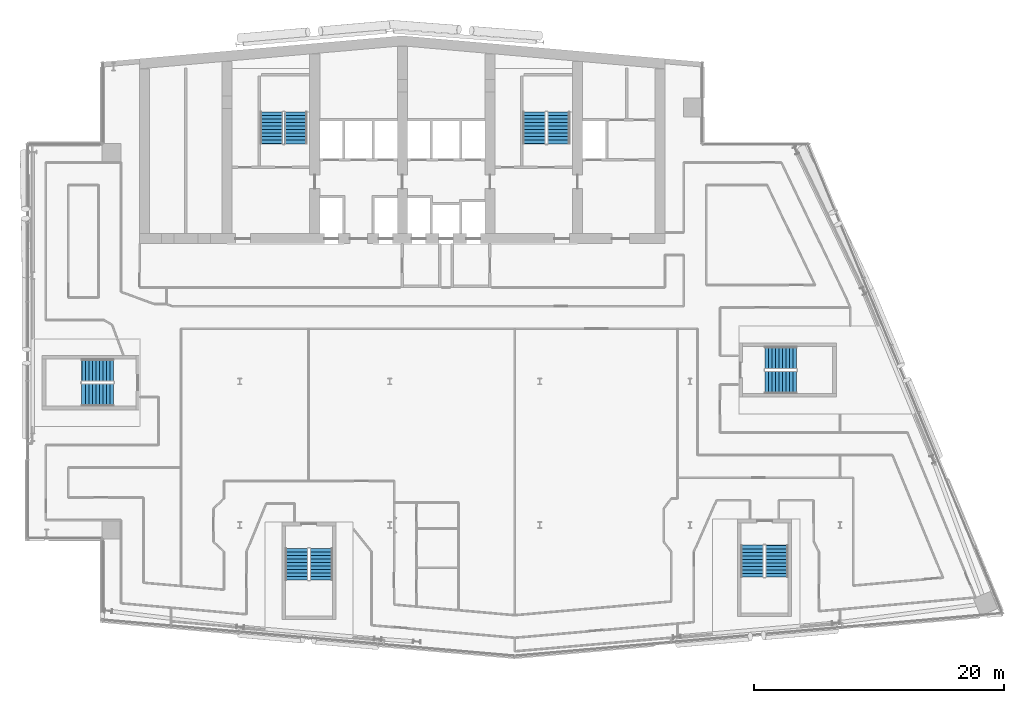
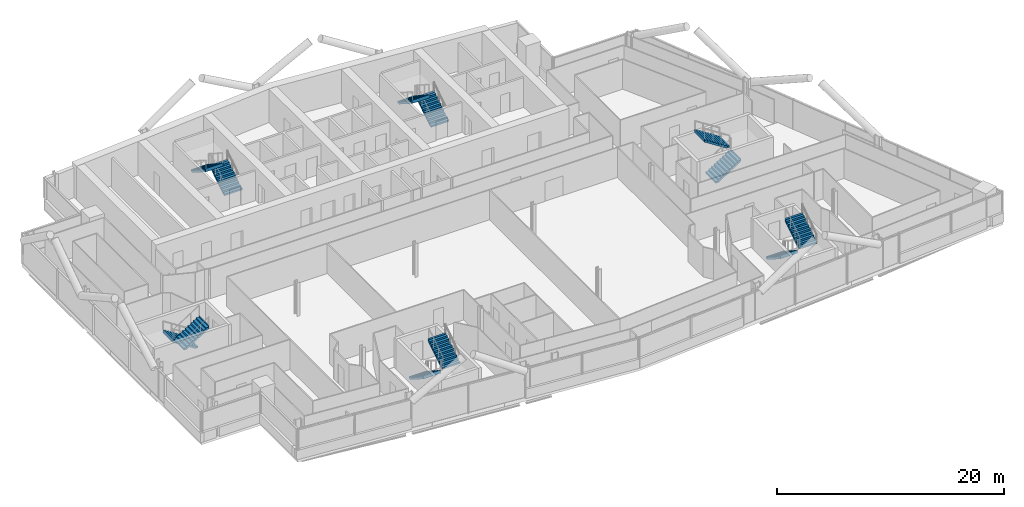
# One storey, part 21 of 27: 12 stair flights, 6 elements without a shape of their own.
"""IFC4 building model written with IfcOpenShell, lengths in metres."""

from ifc_helpers import new_model, si_unit, direction, frame, origin, place, context, subcontext, project, spatial, polyline, outline, extrude, material, type_object, element, aggregate, save


model = new_model("IFC4")

# Units and contexts
model_context = context("Model", 3, precision=1e-05, world=origin(), true_north=direction((0.0, 1.0)))
body_context = subcontext(model_context, "Body", "Model", "MODEL_VIEW")
ifc_project = project(units=[si_unit("LENGTHUNIT", "METRE"), si_unit("AREAUNIT", "SQUARE_METRE"), si_unit("VOLUMEUNIT", "CUBIC_METRE"), si_unit("PLANEANGLEUNIT", "RADIAN"), si_unit("MASSUNIT", "GRAM", prefix="KILO")], contexts=[model_context])

# Site, building, storey
site_placement = place(None, origin())
site = spatial("IfcSite", under=ifc_project, at=site_placement, CompositionType="ELEMENT")
building_placement = place(site_placement, origin())
building = spatial("IfcBuilding", under=site, at=building_placement, Name="Wharfspan Tower", CompositionType="ELEMENT")
storey_placement = place(building_placement, frame((0.0, 0.0, 191.5)))
storey = spatial("IfcBuildingStorey", under=building, at=storey_placement, Name="L47", CompositionType="ELEMENT", Elevation=191.5)

# Stair, stair flights
ifc_material = material(Name="Concrete C40/50", Category="concrete")
stair_type = type_object("IfcStairType", Name="Half-turn stair 20 risers 180 mm", PredefinedType="HALF_TURN_STAIR", material=ifc_material)
stair_1_placement = place(storey_placement, origin())
stair_1 = element("IfcStair", 1, at=stair_1_placement, inside=storey, type_object=stair_type, Name="L47 stair ST1", PredefinedType="HALF_TURN_STAIR")
stair_flight_type = type_object("IfcStairFlightType", Name="Stair flight 20 risers 180 mm", PredefinedType="STRAIGHT", material=ifc_material)
stair_flight_1_placement = place(storey_placement, frame((28.5, 42.0, 0.0), z_axis=(0.0, 0.0, 1.0), x_axis=(0.0, 1.0, 0.0)))
stair_flight_1 = element("IfcStairFlight", 2, at=stair_flight_1_placement, type_object=stair_flight_type, Name="ST1 flight 1", NumberOfRisers=10, NumberOfTreads=9, PredefinedType="STRAIGHT", RiserHeight=0.18, TreadLength=0.28, context=body_context, shape_type="SweptSolid", body=[
    extrude(outline(polyline([(-0.011963, 0.0), (-0.011963, 0.179932), (0.0, 0.179932), (0.280029, 0.179932), (0.280029, 0.360107), (0.560059, 0.360107), (0.560059, 0.540039), (0.840088, 0.540039), (0.840088, 0.719971), (1.120117, 0.719971), (1.120117, 0.899902), (1.399902, 0.899902), (1.399902, 1.080078), (1.679932, 1.080078), (1.679932, 1.26001), (1.959961, 1.26001), (1.959961, 1.439941), (2.23999, 1.439941), (2.23999, 1.620117), (2.52002, 1.620117), (2.531982, 1.800049), (2.531982, 1.441895), (0.2771, 0.0), (-0.011963, 0.0)])), frame((0.0, 0.899902, 0.0), z_axis=(0.0, -1.0, 0.0), x_axis=(1.0, 0.0, 0.0)), (0.0, 0.0, 1.0), 0.899414),
    extrude(outline(polyline([(-0.011963, 0.0), (-0.011963, 0.179932), (0.0, 0.179932), (0.280029, 0.179932), (0.280029, 0.360107), (0.560059, 0.360107), (0.560059, 0.540039), (0.840088, 0.540039), (0.840088, 0.719971), (1.120117, 0.719971), (1.120117, 0.899902), (1.399902, 0.899902), (1.399902, 1.080078), (1.679932, 1.080078), (1.679932, 1.26001), (1.959961, 1.26001), (1.959961, 1.439941), (2.23999, 1.439941), (2.23999, 1.620117), (2.52002, 1.620117), (2.531982, 1.800049), (2.531982, 1.441895), (0.2771, 0.0), (-0.011963, 0.0)])), frame((0.0, -0.000488, 0.0), z_axis=(0.0, -1.0, 0.0), x_axis=(1.0, 0.0, 0.0)), (0.0, 0.0, 1.0), 0.899414),
])
stair_flight_2_placement = place(storey_placement, frame((26.550049, 44.52002, 1.800049), z_axis=(0.0, 0.0, 1.0), x_axis=(0.0, -1.0, 0.0)))
stair_flight_2 = element("IfcStairFlight", 3, at=stair_flight_2_placement, type_object=stair_flight_type, Name="ST1 flight 2", NumberOfRisers=10, NumberOfTreads=9, PredefinedType="STRAIGHT", RiserHeight=0.18, TreadLength=0.28, context=body_context, shape_type="SweptSolid", body=[
    extrude(outline(polyline([(-0.011963, 0.0), (-0.011963, 0.179932), (0.0, 0.179932), (0.280029, 0.179932), (0.280029, 0.360107), (0.560059, 0.360107), (0.560059, 0.540039), (0.840088, 0.540039), (0.840088, 0.719971), (1.120117, 0.719971), (1.120117, 0.899902), (1.399902, 0.899902), (1.399902, 1.080078), (1.679932, 1.080078), (1.679932, 1.26001), (1.959961, 1.26001), (1.959961, 1.439941), (2.23999, 1.439941), (2.23999, 1.620117), (2.52002, 1.620117), (2.531982, 1.800049), (2.531982, 1.441895), (0.2771, 0.0), (-0.011963, 0.0)])), frame((0.0, 0.899902, 0.0), z_axis=(0.0, -1.0, 0.0), x_axis=(1.0, 0.0, 0.0)), (0.0, 0.0, 1.0), 0.899414),
    extrude(outline(polyline([(-0.011963, 0.0), (-0.011963, 0.179932), (0.0, 0.179932), (0.280029, 0.179932), (0.280029, 0.360107), (0.560059, 0.360107), (0.560059, 0.540039), (0.840088, 0.540039), (0.840088, 0.719971), (1.120117, 0.719971), (1.120117, 0.899902), (1.399902, 0.899902), (1.399902, 1.080078), (1.679932, 1.080078), (1.679932, 1.26001), (1.959961, 1.26001), (1.959961, 1.439941), (2.23999, 1.439941), (2.23999, 1.620117), (2.52002, 1.620117), (2.531982, 1.800049), (2.531982, 1.441895), (0.2771, 0.0), (-0.011963, 0.0)])), frame((0.0, -0.000488, 0.0), z_axis=(0.0, -1.0, 0.0), x_axis=(1.0, 0.0, 0.0)), (0.0, 0.0, 1.0), 0.899414),
])
aggregate(stair_1, [stair_flight_1, stair_flight_2])

stair_2_placement = place(storey_placement, origin())
stair_2 = element("IfcStair", 4, at=stair_2_placement, inside=storey, type_object=stair_type, Name="L47 stair ST2", PredefinedType="HALF_TURN_STAIR")
stair_flight_3_placement = place(storey_placement, frame((49.5, 42.0, 0.0), z_axis=(0.0, 0.0, 1.0), x_axis=(0.0, 1.0, 0.0)))
stair_flight_3 = element("IfcStairFlight", 5, at=stair_flight_3_placement, type_object=stair_flight_type, Name="ST2 flight 1", NumberOfRisers=10, NumberOfTreads=9, PredefinedType="STRAIGHT", RiserHeight=0.18, TreadLength=0.28, context=body_context, shape_type="SweptSolid", body=[
    extrude(outline(polyline([(-0.011963, 0.0), (-0.011963, 0.179932), (0.0, 0.179932), (0.280029, 0.179932), (0.280029, 0.360107), (0.560059, 0.360107), (0.560059, 0.540039), (0.840088, 0.540039), (0.840088, 0.719971), (1.120117, 0.719971), (1.120117, 0.899902), (1.399902, 0.899902), (1.399902, 1.080078), (1.679932, 1.080078), (1.679932, 1.26001), (1.959961, 1.26001), (1.959961, 1.439941), (2.23999, 1.439941), (2.23999, 1.620117), (2.52002, 1.620117), (2.531982, 1.800049), (2.531982, 1.441895), (0.2771, 0.0), (-0.011963, 0.0)])), frame((0.0, 0.899902, 0.0), z_axis=(0.0, -1.0, 0.0), x_axis=(1.0, 0.0, 0.0)), (0.0, 0.0, 1.0), 0.899414),
    extrude(outline(polyline([(-0.011963, 0.0), (-0.011963, 0.179932), (0.0, 0.179932), (0.280029, 0.179932), (0.280029, 0.360107), (0.560059, 0.360107), (0.560059, 0.540039), (0.840088, 0.540039), (0.840088, 0.719971), (1.120117, 0.719971), (1.120117, 0.899902), (1.399902, 0.899902), (1.399902, 1.080078), (1.679932, 1.080078), (1.679932, 1.26001), (1.959961, 1.26001), (1.959961, 1.439941), (2.23999, 1.439941), (2.23999, 1.620117), (2.52002, 1.620117), (2.531982, 1.800049), (2.531982, 1.441895), (0.2771, 0.0), (-0.011963, 0.0)])), frame((0.0, -0.000488, 0.0), z_axis=(0.0, -1.0, 0.0), x_axis=(1.0, 0.0, 0.0)), (0.0, 0.0, 1.0), 0.899414),
])
stair_flight_4_placement = place(storey_placement, frame((47.550049, 44.52002, 1.800049), z_axis=(0.0, 0.0, 1.0), x_axis=(0.0, -1.0, 0.0)))
stair_flight_4 = element("IfcStairFlight", 6, at=stair_flight_4_placement, type_object=stair_flight_type, Name="ST2 flight 2", NumberOfRisers=10, NumberOfTreads=9, PredefinedType="STRAIGHT", RiserHeight=0.18, TreadLength=0.28, context=body_context, shape_type="SweptSolid", body=[
    extrude(outline(polyline([(-0.011963, 0.0), (-0.011963, 0.179932), (0.0, 0.179932), (0.280029, 0.179932), (0.280029, 0.360107), (0.560059, 0.360107), (0.560059, 0.540039), (0.840088, 0.540039), (0.840088, 0.719971), (1.120117, 0.719971), (1.120117, 0.899902), (1.399902, 0.899902), (1.399902, 1.080078), (1.679932, 1.080078), (1.679932, 1.26001), (1.959961, 1.26001), (1.959961, 1.439941), (2.23999, 1.439941), (2.23999, 1.620117), (2.52002, 1.620117), (2.531982, 1.800049), (2.531982, 1.441895), (0.2771, 0.0), (-0.011963, 0.0)])), frame((0.0, 0.899902, 0.0), z_axis=(0.0, -1.0, 0.0), x_axis=(1.0, 0.0, 0.0)), (0.0, 0.0, 1.0), 0.899414),
    extrude(outline(polyline([(-0.011963, 0.0), (-0.011963, 0.179932), (0.0, 0.179932), (0.280029, 0.179932), (0.280029, 0.360107), (0.560059, 0.360107), (0.560059, 0.540039), (0.840088, 0.540039), (0.840088, 0.719971), (1.120117, 0.719971), (1.120117, 0.899902), (1.399902, 0.899902), (1.399902, 1.080078), (1.679932, 1.080078), (1.679932, 1.26001), (1.959961, 1.26001), (1.959961, 1.439941), (2.23999, 1.439941), (2.23999, 1.620117), (2.52002, 1.620117), (2.531982, 1.800049), (2.531982, 1.441895), (0.2771, 0.0), (-0.011963, 0.0)])), frame((0.0, -0.000488, 0.0), z_axis=(0.0, -1.0, 0.0), x_axis=(1.0, 0.0, 0.0)), (0.0, 0.0, 1.0), 0.899414),
])
aggregate(stair_2, [stair_flight_3, stair_flight_4])

stair_3_placement = place(storey_placement, origin())
stair_3 = element("IfcStair", 7, at=stair_3_placement, inside=storey, type_object=stair_type, Name="L47 stair ST3", PredefinedType="HALF_TURN_STAIR")
stair_flight_5_placement = place(storey_placement, frame((13.899902, 23.875, 0.0), z_axis=(0.0, 0.0, 1.0), x_axis=(-1.0, 0.0, 0.0)))
stair_flight_5 = element("IfcStairFlight", 8, at=stair_flight_5_placement, type_object=stair_flight_type, Name="ST3 flight 1", NumberOfRisers=10, NumberOfTreads=9, PredefinedType="STRAIGHT", RiserHeight=0.18, TreadLength=0.28, context=body_context, shape_type="SweptSolid", body=[
    extrude(outline(polyline([(-0.011963, 0.0), (-0.011963, 0.179932), (0.0, 0.179932), (0.280029, 0.179932), (0.280029, 0.360107), (0.560059, 0.360107), (0.560059, 0.540039), (0.840088, 0.540039), (0.840088, 0.719971), (1.120117, 0.719971), (1.120117, 0.899902), (1.399902, 0.899902), (1.399902, 1.080078), (1.679932, 1.080078), (1.679932, 1.26001), (1.959961, 1.26001), (1.959961, 1.439941), (2.23999, 1.439941), (2.23999, 1.620117), (2.52002, 1.620117), (2.531982, 1.800049), (2.531982, 1.441895), (0.2771, 0.0), (-0.011963, 0.0)])), frame((0.0, 0.899902, 0.0), z_axis=(0.0, -1.0, 0.0), x_axis=(1.0, 0.0, 0.0)), (0.0, 0.0, 1.0), 0.899414),
    extrude(outline(polyline([(-0.011963, 0.0), (-0.011963, 0.179932), (0.0, 0.179932), (0.280029, 0.179932), (0.280029, 0.360107), (0.560059, 0.360107), (0.560059, 0.540039), (0.840088, 0.540039), (0.840088, 0.719971), (1.120117, 0.719971), (1.120117, 0.899902), (1.399902, 0.899902), (1.399902, 1.080078), (1.679932, 1.080078), (1.679932, 1.26001), (1.959961, 1.26001), (1.959961, 1.439941), (2.23999, 1.439941), (2.23999, 1.620117), (2.52002, 1.620117), (2.531982, 1.800049), (2.531982, 1.441895), (0.2771, 0.0), (-0.011963, 0.0)])), frame((0.0, -0.000488, 0.0), z_axis=(0.0, -1.0, 0.0), x_axis=(1.0, 0.0, 0.0)), (0.0, 0.0, 1.0), 0.899414),
])
stair_flight_6_placement = place(storey_placement, frame((11.379883, 21.925049, 1.800049), z_axis=(0.0, 0.0, 1.0), x_axis=(1.0, 0.0, 0.0)))
stair_flight_6 = element("IfcStairFlight", 9, at=stair_flight_6_placement, type_object=stair_flight_type, Name="ST3 flight 2", NumberOfRisers=10, NumberOfTreads=9, PredefinedType="STRAIGHT", RiserHeight=0.18, TreadLength=0.28, context=body_context, shape_type="SweptSolid", body=[
    extrude(outline(polyline([(-0.011963, 0.0), (-0.011963, 0.179932), (0.0, 0.179932), (0.280029, 0.179932), (0.280029, 0.360107), (0.560059, 0.360107), (0.560059, 0.540039), (0.840088, 0.540039), (0.840088, 0.719971), (1.120117, 0.719971), (1.120117, 0.899902), (1.399902, 0.899902), (1.399902, 1.080078), (1.679932, 1.080078), (1.679932, 1.26001), (1.959961, 1.26001), (1.959961, 1.439941), (2.23999, 1.439941), (2.23999, 1.620117), (2.52002, 1.620117), (2.531982, 1.800049), (2.531982, 1.441895), (0.2771, 0.0), (-0.011963, 0.0)])), frame((0.0, 0.899902, 0.0), z_axis=(0.0, -1.0, 0.0), x_axis=(1.0, 0.0, 0.0)), (0.0, 0.0, 1.0), 0.899414),
    extrude(outline(polyline([(-0.011963, 0.0), (-0.011963, 0.179932), (0.0, 0.179932), (0.280029, 0.179932), (0.280029, 0.360107), (0.560059, 0.360107), (0.560059, 0.540039), (0.840088, 0.540039), (0.840088, 0.719971), (1.120117, 0.719971), (1.120117, 0.899902), (1.399902, 0.899902), (1.399902, 1.080078), (1.679932, 1.080078), (1.679932, 1.26001), (1.959961, 1.26001), (1.959961, 1.439941), (2.23999, 1.439941), (2.23999, 1.620117), (2.52002, 1.620117), (2.531982, 1.800049), (2.531982, 1.441895), (0.2771, 0.0), (-0.011963, 0.0)])), frame((0.0, -0.000488, 0.0), z_axis=(0.0, -1.0, 0.0), x_axis=(1.0, 0.0, 0.0)), (0.0, 0.0, 1.0), 0.899414),
])
aggregate(stair_3, [stair_flight_5, stair_flight_6])

stair_4_placement = place(storey_placement, origin())
stair_4 = element("IfcStair", 10, at=stair_4_placement, inside=storey, type_object=stair_type, Name="L47 stair ST4", PredefinedType="HALF_TURN_STAIR")
stair_flight_7_placement = place(storey_placement, frame((28.564209, 9.634277, 0.0), z_axis=(0.0, 0.0, 1.0), x_axis=(0.0, -1.0, 0.0)))
stair_flight_7 = element("IfcStairFlight", 11, at=stair_flight_7_placement, type_object=stair_flight_type, Name="ST4 flight 1", NumberOfRisers=10, NumberOfTreads=9, PredefinedType="STRAIGHT", RiserHeight=0.18, TreadLength=0.28, context=body_context, shape_type="SweptSolid", body=[
    extrude(outline(polyline([(-0.011963, 0.0), (-0.011963, 0.179932), (0.0, 0.179932), (0.280029, 0.179932), (0.280029, 0.360107), (0.560059, 0.360107), (0.560059, 0.540039), (0.840088, 0.540039), (0.840088, 0.719971), (1.120117, 0.719971), (1.120117, 0.899902), (1.399902, 0.899902), (1.399902, 1.080078), (1.679932, 1.080078), (1.679932, 1.26001), (1.959961, 1.26001), (1.959961, 1.439941), (2.23999, 1.439941), (2.23999, 1.620117), (2.52002, 1.620117), (2.531982, 1.800049), (2.531982, 1.441895), (0.2771, 0.0), (-0.011963, 0.0)])), frame((0.0, 0.899902, 0.0), z_axis=(0.0, -1.0, 0.0), x_axis=(1.0, 0.0, 0.0)), (0.0, 0.0, 1.0), 0.899414),
    extrude(outline(polyline([(-0.011963, 0.0), (-0.011963, 0.179932), (0.0, 0.179932), (0.280029, 0.179932), (0.280029, 0.360107), (0.560059, 0.360107), (0.560059, 0.540039), (0.840088, 0.540039), (0.840088, 0.719971), (1.120117, 0.719971), (1.120117, 0.899902), (1.399902, 0.899902), (1.399902, 1.080078), (1.679932, 1.080078), (1.679932, 1.26001), (1.959961, 1.26001), (1.959961, 1.439941), (2.23999, 1.439941), (2.23999, 1.620117), (2.52002, 1.620117), (2.531982, 1.800049), (2.531982, 1.441895), (0.2771, 0.0), (-0.011963, 0.0)])), frame((0.0, -0.000488, 0.0), z_axis=(0.0, -1.0, 0.0), x_axis=(1.0, 0.0, 0.0)), (0.0, 0.0, 1.0), 0.899414),
])
stair_flight_8_placement = place(storey_placement, frame((30.51416, 7.114258, 1.800049), z_axis=(0.0, 0.0, 1.0), x_axis=(0.0, 1.0, 0.0)))
stair_flight_8 = element("IfcStairFlight", 12, at=stair_flight_8_placement, type_object=stair_flight_type, Name="ST4 flight 2", NumberOfRisers=10, NumberOfTreads=9, PredefinedType="STRAIGHT", RiserHeight=0.18, TreadLength=0.28, context=body_context, shape_type="SweptSolid", body=[
    extrude(outline(polyline([(-0.011963, 0.0), (-0.011963, 0.179932), (0.0, 0.179932), (0.280029, 0.179932), (0.280029, 0.360107), (0.560059, 0.360107), (0.560059, 0.540039), (0.840088, 0.540039), (0.840088, 0.719971), (1.120117, 0.719971), (1.120117, 0.899902), (1.399902, 0.899902), (1.399902, 1.080078), (1.679932, 1.080078), (1.679932, 1.26001), (1.959961, 1.26001), (1.959961, 1.439941), (2.23999, 1.439941), (2.23999, 1.620117), (2.52002, 1.620117), (2.531982, 1.800049), (2.531982, 1.441895), (0.2771, 0.0), (-0.011963, 0.0)])), frame((0.0, 0.899902, 0.0), z_axis=(0.0, -1.0, 0.0), x_axis=(1.0, 0.0, 0.0)), (0.0, 0.0, 1.0), 0.899414),
    extrude(outline(polyline([(-0.011963, 0.0), (-0.011963, 0.179932), (0.0, 0.179932), (0.280029, 0.179932), (0.280029, 0.360107), (0.560059, 0.360107), (0.560059, 0.540039), (0.840088, 0.540039), (0.840088, 0.719971), (1.120117, 0.719971), (1.120117, 0.899902), (1.399902, 0.899902), (1.399902, 1.080078), (1.679932, 1.080078), (1.679932, 1.26001), (1.959961, 1.26001), (1.959961, 1.439941), (2.23999, 1.439941), (2.23999, 1.620117), (2.52002, 1.620117), (2.531982, 1.800049), (2.531982, 1.441895), (0.2771, 0.0), (-0.011963, 0.0)])), frame((0.0, -0.000488, 0.0), z_axis=(0.0, -1.0, 0.0), x_axis=(1.0, 0.0, 0.0)), (0.0, 0.0, 1.0), 0.899414),
])
aggregate(stair_4, [stair_flight_7, stair_flight_8])

stair_5_placement = place(storey_placement, origin())
stair_5 = element("IfcStair", 13, at=stair_5_placement, inside=storey, type_object=stair_type, Name="L47 stair ST5", PredefinedType="HALF_TURN_STAIR")
stair_flight_9_placement = place(storey_placement, frame((64.986328, 9.883789, 0.0), z_axis=(0.0, 0.0, 1.0), x_axis=(0.0, -1.0, 0.0)))
stair_flight_9 = element("IfcStairFlight", 14, at=stair_flight_9_placement, type_object=stair_flight_type, Name="ST5 flight 1", NumberOfRisers=10, NumberOfTreads=9, PredefinedType="STRAIGHT", RiserHeight=0.18, TreadLength=0.28, context=body_context, shape_type="SweptSolid", body=[
    extrude(outline(polyline([(-0.011963, 0.0), (-0.011963, 0.179932), (0.0, 0.179932), (0.280029, 0.179932), (0.280029, 0.360107), (0.560059, 0.360107), (0.560059, 0.540039), (0.840088, 0.540039), (0.840088, 0.719971), (1.120117, 0.719971), (1.120117, 0.899902), (1.399902, 0.899902), (1.399902, 1.080078), (1.679932, 1.080078), (1.679932, 1.26001), (1.959961, 1.26001), (1.959961, 1.439941), (2.23999, 1.439941), (2.23999, 1.620117), (2.52002, 1.620117), (2.531982, 1.800049), (2.531982, 1.441895), (0.2771, 0.0), (-0.011963, 0.0)])), frame((0.0, 0.899902, 0.0), z_axis=(0.0, -1.0, 0.0), x_axis=(1.0, 0.0, 0.0)), (0.0, 0.0, 1.0), 0.899414),
    extrude(outline(polyline([(-0.011963, 0.0), (-0.011963, 0.179932), (0.0, 0.179932), (0.280029, 0.179932), (0.280029, 0.360107), (0.560059, 0.360107), (0.560059, 0.540039), (0.840088, 0.540039), (0.840088, 0.719971), (1.120117, 0.719971), (1.120117, 0.899902), (1.399902, 0.899902), (1.399902, 1.080078), (1.679932, 1.080078), (1.679932, 1.26001), (1.959961, 1.26001), (1.959961, 1.439941), (2.23999, 1.439941), (2.23999, 1.620117), (2.52002, 1.620117), (2.531982, 1.800049), (2.531982, 1.441895), (0.2771, 0.0), (-0.011963, 0.0)])), frame((0.0, -0.000488, 0.0), z_axis=(0.0, -1.0, 0.0), x_axis=(1.0, 0.0, 0.0)), (0.0, 0.0, 1.0), 0.899414),
])
stair_flight_10_placement = place(storey_placement, frame((66.936279, 7.36377, 1.800049), z_axis=(0.0, 0.0, 1.0), x_axis=(0.0, 1.0, 0.0)))
stair_flight_10 = element("IfcStairFlight", 15, at=stair_flight_10_placement, type_object=stair_flight_type, Name="ST5 flight 2", NumberOfRisers=10, NumberOfTreads=9, PredefinedType="STRAIGHT", RiserHeight=0.18, TreadLength=0.28, context=body_context, shape_type="SweptSolid", body=[
    extrude(outline(polyline([(-0.011963, 0.0), (-0.011963, 0.179932), (0.0, 0.179932), (0.280029, 0.179932), (0.280029, 0.360107), (0.560059, 0.360107), (0.560059, 0.540039), (0.840088, 0.540039), (0.840088, 0.719971), (1.120117, 0.719971), (1.120117, 0.899902), (1.399902, 0.899902), (1.399902, 1.080078), (1.679932, 1.080078), (1.679932, 1.26001), (1.959961, 1.26001), (1.959961, 1.439941), (2.23999, 1.439941), (2.23999, 1.620117), (2.52002, 1.620117), (2.531982, 1.800049), (2.531982, 1.441895), (0.2771, 0.0), (-0.011963, 0.0)])), frame((0.0, 0.899902, 0.0), z_axis=(0.0, -1.0, 0.0), x_axis=(1.0, 0.0, 0.0)), (0.0, 0.0, 1.0), 0.899414),
    extrude(outline(polyline([(-0.011963, 0.0), (-0.011963, 0.179932), (0.0, 0.179932), (0.280029, 0.179932), (0.280029, 0.360107), (0.560059, 0.360107), (0.560059, 0.540039), (0.840088, 0.540039), (0.840088, 0.719971), (1.120117, 0.719971), (1.120117, 0.899902), (1.399902, 0.899902), (1.399902, 1.080078), (1.679932, 1.080078), (1.679932, 1.26001), (1.959961, 1.26001), (1.959961, 1.439941), (2.23999, 1.439941), (2.23999, 1.620117), (2.52002, 1.620117), (2.531982, 1.800049), (2.531982, 1.441895), (0.2771, 0.0), (-0.011963, 0.0)])), frame((0.0, -0.000488, 0.0), z_axis=(0.0, -1.0, 0.0), x_axis=(1.0, 0.0, 0.0)), (0.0, 0.0, 1.0), 0.899414),
])
aggregate(stair_5, [stair_flight_9, stair_flight_10])

stair_6_placement = place(storey_placement, origin())
stair_6 = element("IfcStair", 16, at=stair_6_placement, inside=storey, type_object=stair_type, Name="L47 stair ST6", PredefinedType="HALF_TURN_STAIR")
stair_flight_11_placement = place(storey_placement, frame((66.004639, 22.925049, 0.0), z_axis=(0.0, 0.0, 1.0), x_axis=(1.0, 0.0, 0.0)))
stair_flight_11 = element("IfcStairFlight", 17, at=stair_flight_11_placement, type_object=stair_flight_type, Name="ST6 flight 1", NumberOfRisers=10, NumberOfTreads=9, PredefinedType="STRAIGHT", RiserHeight=0.18, TreadLength=0.28, context=body_context, shape_type="SweptSolid", body=[
    extrude(outline(polyline([(-0.011963, 0.0), (-0.011963, 0.179932), (0.0, 0.179932), (0.280029, 0.179932), (0.280029, 0.360107), (0.560059, 0.360107), (0.560059, 0.540039), (0.840088, 0.540039), (0.840088, 0.719971), (1.120117, 0.719971), (1.120117, 0.899902), (1.399902, 0.899902), (1.399902, 1.080078), (1.679932, 1.080078), (1.679932, 1.26001), (1.959961, 1.26001), (1.959961, 1.439941), (2.23999, 1.439941), (2.23999, 1.620117), (2.52002, 1.620117), (2.531982, 1.800049), (2.531982, 1.441895), (0.2771, 0.0), (-0.011963, 0.0)])), frame((0.0, 0.899902, 0.0), z_axis=(0.0, -1.0, 0.0), x_axis=(1.0, 0.0, 0.0)), (0.0, 0.0, 1.0), 0.899414),
    extrude(outline(polyline([(-0.011963, 0.0), (-0.011963, 0.179932), (0.0, 0.179932), (0.280029, 0.179932), (0.280029, 0.360107), (0.560059, 0.360107), (0.560059, 0.540039), (0.840088, 0.540039), (0.840088, 0.719971), (1.120117, 0.719971), (1.120117, 0.899902), (1.399902, 0.899902), (1.399902, 1.080078), (1.679932, 1.080078), (1.679932, 1.26001), (1.959961, 1.26001), (1.959961, 1.439941), (2.23999, 1.439941), (2.23999, 1.620117), (2.52002, 1.620117), (2.531982, 1.800049), (2.531982, 1.441895), (0.2771, 0.0), (-0.011963, 0.0)])), frame((0.0, -0.000488, 0.0), z_axis=(0.0, -1.0, 0.0), x_axis=(1.0, 0.0, 0.0)), (0.0, 0.0, 1.0), 0.899414),
])
stair_flight_12_placement = place(storey_placement, frame((68.524658, 24.875, 1.800049), z_axis=(0.0, 0.0, 1.0), x_axis=(-1.0, 0.0, 0.0)))
stair_flight_12 = element("IfcStairFlight", 18, at=stair_flight_12_placement, type_object=stair_flight_type, Name="ST6 flight 2", NumberOfRisers=10, NumberOfTreads=9, PredefinedType="STRAIGHT", RiserHeight=0.18, TreadLength=0.28, context=body_context, shape_type="SweptSolid", body=[
    extrude(outline(polyline([(-0.011963, 0.0), (-0.011963, 0.179932), (0.0, 0.179932), (0.280029, 0.179932), (0.280029, 0.360107), (0.560059, 0.360107), (0.560059, 0.540039), (0.840088, 0.540039), (0.840088, 0.719971), (1.120117, 0.719971), (1.120117, 0.899902), (1.399902, 0.899902), (1.399902, 1.080078), (1.679932, 1.080078), (1.679932, 1.26001), (1.959961, 1.26001), (1.959961, 1.439941), (2.23999, 1.439941), (2.23999, 1.620117), (2.52002, 1.620117), (2.531982, 1.800049), (2.531982, 1.441895), (0.2771, 0.0), (-0.011963, 0.0)])), frame((0.0, 0.899902, 0.0), z_axis=(0.0, -1.0, 0.0), x_axis=(1.0, 0.0, 0.0)), (0.0, 0.0, 1.0), 0.899414),
    extrude(outline(polyline([(-0.011963, 0.0), (-0.011963, 0.179932), (0.0, 0.179932), (0.280029, 0.179932), (0.280029, 0.360107), (0.560059, 0.360107), (0.560059, 0.540039), (0.840088, 0.540039), (0.840088, 0.719971), (1.120117, 0.719971), (1.120117, 0.899902), (1.399902, 0.899902), (1.399902, 1.080078), (1.679932, 1.080078), (1.679932, 1.26001), (1.959961, 1.26001), (1.959961, 1.439941), (2.23999, 1.439941), (2.23999, 1.620117), (2.52002, 1.620117), (2.531982, 1.800049), (2.531982, 1.441895), (0.2771, 0.0), (-0.011963, 0.0)])), frame((0.0, -0.000488, 0.0), z_axis=(0.0, -1.0, 0.0), x_axis=(1.0, 0.0, 0.0)), (0.0, 0.0, 1.0), 0.899414),
])
aggregate(stair_6, [stair_flight_11, stair_flight_12])

save(model, "model.ifc")
